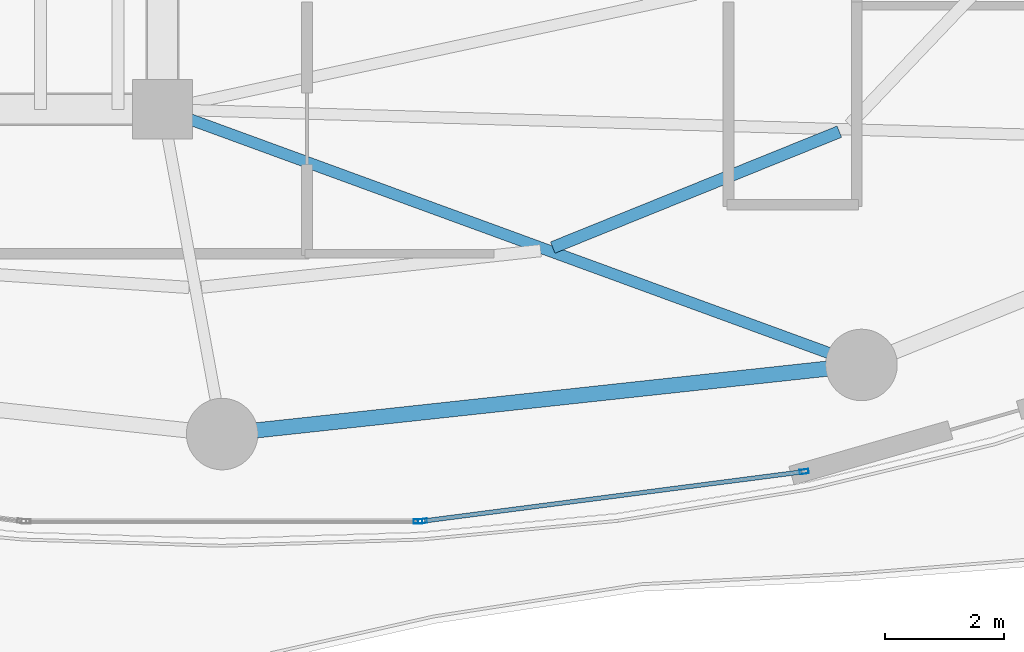
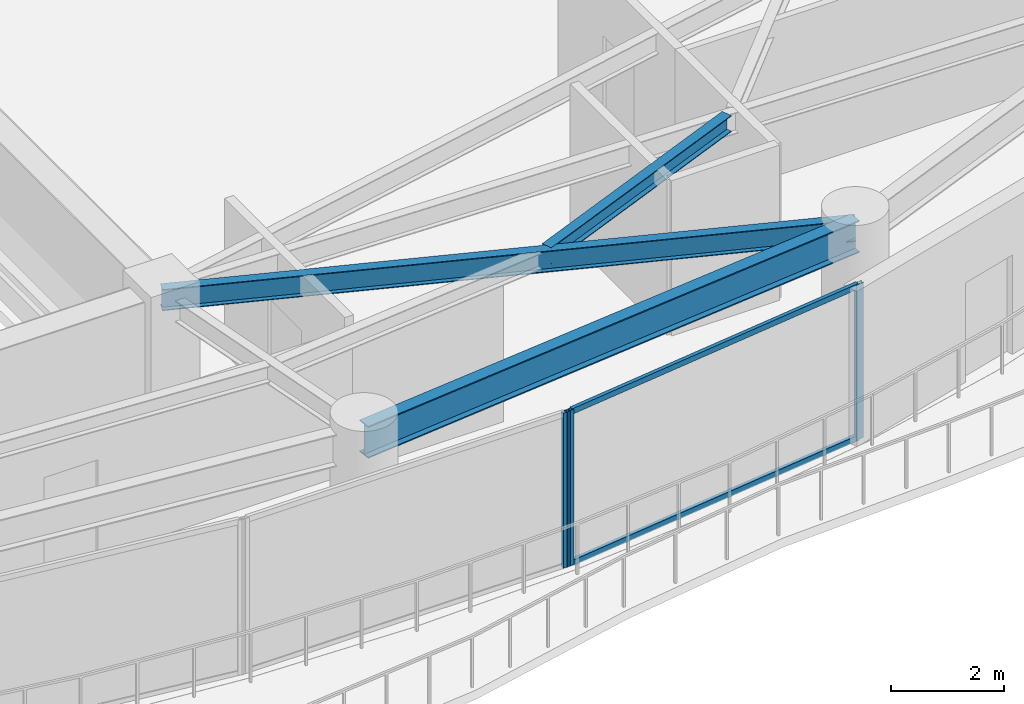
# One storey, part 9 of 28: 5 members, 3 beams, 2 elements without a shape of their own.
"""IFC4 building model written with IfcOpenShell, lengths in metres."""

import ifcopenshell
import ifcopenshell.guid

model = None  # the IFC model being written
_history = None  # IfcOwnerHistory: only IFC2X3 demands one
_inside = {}  # id of a spatial element -> (the spatial element, [elements in it])
_under = {}  # id of a project, library or spatial element -> (it, [spatial elements below it])
_declared = {}  # id of a project -> (the project, [libraries it declares])
_typed = {}  # id of a type object -> (the type object, [elements of that type])
_made_of = {}  # id of a material, layer set ... -> (it, [elements and type objects made of it])


def new_model(schema):
    """Start an empty IFC model of exactly this schema.

    Asked for "IFC4X3", IfcOpenShell would pick the latest addendum, in which some entities
    have other attributes; the version numbers below select the first issue.
    IFC2X3 requires an IfcOwnerHistory on every rooted entity: one is made here for all.
    """
    global model, _history
    if schema == "IFC4X3":
        model = ifcopenshell.file(schema_version=(4, 3, 0, 0))
    else:
        model = ifcopenshell.file(schema=schema)
    _inside.clear()
    _under.clear()
    _declared.clear()
    _typed.clear()
    _made_of.clear()
    _history = None
    if model.schema == "IFC2X3":
        org = make("IfcOrganization", Name="unknown")
        user = make(
            "IfcPersonAndOrganization",
            ThePerson=make("IfcPerson", FamilyName="unknown"),
            TheOrganization=org,
        )
        app = make(
            "IfcApplication",
            ApplicationDeveloper=org,
            Version="unknown",
            ApplicationFullName="unknown",
            ApplicationIdentifier="unknown",
        )
        _history = make(
            "IfcOwnerHistory",
            OwningUser=user,
            OwningApplication=app,
            ChangeAction="ADDED",
            CreationDate=0,
        )
    return model


def make(cls, **values):
    """One entity of the class cls with the attributes given. An attribute that is None is left unset."""
    return model.create_entity(
        cls, **{name: value for name, value in values.items() if value is not None}
    )


def rooted(cls, **values):
    """An entity with a GlobalId (a new one), such as an element, a storey or a relation."""
    return make(cls, GlobalId=ifcopenshell.guid.new(), OwnerHistory=_history, **values)


def si_unit(unit_type, name, prefix=None):
    """IfcSIUnit, for example si_unit("LENGTHUNIT", "METRE", prefix="MILLI")."""
    return make("IfcSIUnit", UnitType=unit_type, Prefix=prefix, Name=name)


def assignment(units):
    """IfcUnitAssignment: the units of a project."""
    return None if units is None else make("IfcUnitAssignment", Units=units)


def point(xyz):
    """IfcCartesianPoint."""
    return None if xyz is None else make("IfcCartesianPoint", Coordinates=xyz)


def direction(xyz):
    """IfcDirection."""
    return None if xyz is None else make("IfcDirection", DirectionRatios=xyz)


def frame(location, z_axis=None, x_axis=None):
    """IfcAxis2Placement3D, a coordinate frame: its origin and axes. An axis left out is left unset."""
    return make(
        "IfcAxis2Placement3D",
        Location=point(location),
        Axis=direction(z_axis),
        RefDirection=direction(x_axis),
    )


def frame_2d(location, x_axis=None):
    """IfcAxis2Placement2D, a coordinate frame in the plane: its origin and x axis."""
    return make(
        "IfcAxis2Placement2D", Location=point(location), RefDirection=direction(x_axis)
    )


def origin():
    """The frame at (0, 0, 0) with its axes left unset."""
    return frame((0.0, 0.0, 0.0))


def origin_2d():
    """The frame at (0, 0) in the plane with its x axis left unset."""
    return frame_2d((0.0, 0.0))


def place(relative_to, where):
    """IfcLocalPlacement: puts the frame where relative to a parent placement (None: the world)."""
    return make(
        "IfcLocalPlacement", PlacementRelTo=relative_to, RelativePlacement=where
    )


def context(
    kind, dimensions, precision=None, world=None, true_north=None, identifier=None
):
    """IfcGeometricRepresentationContext, for example the 3D "Model" context."""
    return make(
        "IfcGeometricRepresentationContext",
        ContextIdentifier=identifier,
        ContextType=kind,
        CoordinateSpaceDimension=dimensions,
        Precision=precision,
        WorldCoordinateSystem=world,
        TrueNorth=true_north,
    )


def subcontext(parent, identifier, kind, view, scale=None):
    """IfcGeometricRepresentationSubContext, for example "Body" below "Model"."""
    return make(
        "IfcGeometricRepresentationSubContext",
        ContextIdentifier=identifier,
        ContextType=kind,
        ParentContext=parent,
        TargetScale=scale,
        TargetView=view,
    )


def project(units=None, contexts=None):
    """IfcProject with its units and contexts."""
    return rooted(
        "IfcProject",
        Name="project",
        RepresentationContexts=contexts,
        UnitsInContext=assignment(units),
    )


def spatial(cls, under=None, at=None, **own):
    """A site, building, storey or space (cls), placed at a placement, below another one or the project."""
    s = rooted(cls, ObjectPlacement=at, **own)
    if under is not None:
        _under.setdefault(under.id(), (under, []))[1].append(s)
    return s


def profile(cls, at=None, kind="AREA", **sizes):
    """A parametric profile (cls). Its sizes go by their IFC names, for example OverallWidth=200.0."""
    return make(cls, ProfileType=kind, Position=at, **sizes)


def hollow_rectangle(**sizes):
    """IfcRectangleHollowProfileDef."""
    return profile("IfcRectangleHollowProfileDef", **sizes)


def i_section(**sizes):
    """IfcIShapeProfileDef."""
    return profile("IfcIShapeProfileDef", **sizes)


def extrude(swept, where, along, depth):
    """IfcExtrudedAreaSolid: the profile swept, set in the frame where, extruded along a direction by depth."""
    return make(
        "IfcExtrudedAreaSolid",
        SweptArea=swept,
        Position=where,
        ExtrudedDirection=direction(along),
        Depth=depth,
    )


def shape(context_of_items, identifier, shape_type, items):
    """IfcShapeRepresentation: the items that make up one representation, for example the "Body"."""
    return make(
        "IfcShapeRepresentation",
        ContextOfItems=context_of_items,
        RepresentationIdentifier=identifier,
        RepresentationType=shape_type,
        Items=items,
    )


def material(Name=None, Category=None):
    """IfcMaterial."""
    return make("IfcMaterial", Name=Name, Category=Category)


def layer(
    of_material, thickness, ventilated=None, Name=None, Category=None, Priority=None
):
    """IfcMaterialLayer: one layer of a wall or slab, of a material (None: an air gap)."""
    return make(
        "IfcMaterialLayer",
        Material=of_material,
        LayerThickness=thickness,
        IsVentilated=ventilated,
        Name=Name,
        Category=Category,
        Priority=Priority,
    )


def layer_set(layers, Name=None):
    """IfcMaterialLayerSet."""
    return make("IfcMaterialLayerSet", MaterialLayers=layers, LayerSetName=Name)


def material_profile(
    of_material, cross_section, Name=None, Category=None, Priority=None
):
    """IfcMaterialProfile: a cross section and its material."""
    return make(
        "IfcMaterialProfile",
        Name=Name,
        Material=of_material,
        Profile=cross_section,
        Priority=Priority,
        Category=Category,
    )


def profile_set(profiles, Name=None, composite=None):
    """IfcMaterialProfileSet."""
    return make(
        "IfcMaterialProfileSet",
        Name=Name,
        MaterialProfiles=profiles,
        CompositeProfile=composite,
    )


def made_of(thing, what):
    """Note that an element or type object is made of a material, layer set ...; save() writes the relation."""
    if what is not None:
        _made_of.setdefault(what.id(), (what, []))[1].append(thing)
    return thing


def type_object(cls, material=None, **own):
    """A type object (cls), such as IfcWallType, which elements share."""
    return made_of(rooted(cls, **own), material)


def element(
    cls,
    number,
    at=None,
    inside=None,
    cuts=None,
    type_object=None,
    material=None,
    context=None,
    identifier="Body",
    shape_type=None,
    held_by="IfcProductDefinitionShape",
    body=None,
    shapes=None,
    **own,
):
    """One element of the class cls, such as IfcWall. Its Tag is "e" and its number.

    at: its placement. inside: the storey or other place that contains it. cuts: it is an
    opening in that element (IfcRelVoidsElement). A single representation is given by context,
    identifier, shape_type and body (its items); several are given by shapes. held_by: the class
    of the entity that holds the representations. save() writes the other relations.
    """
    e = rooted(cls, Tag="e%d" % number, ObjectPlacement=at, **own)
    if body is not None:
        shapes = [shape(context, identifier, shape_type, body)]
    if shapes is not None:
        e.Representation = make(held_by, Representations=shapes)
    if inside is not None:
        _inside.setdefault(inside.id(), (inside, []))[1].append(e)
    if cuts is not None:
        rooted(
            "IfcRelVoidsElement", RelatingBuildingElement=cuts, RelatedOpeningElement=e
        )
    if type_object is not None:
        _typed.setdefault(type_object.id(), (type_object, []))[1].append(e)
    return made_of(e, material)


def aggregate(whole, parts):
    """IfcRelAggregates: a whole, such as a stair, and the parts it consists of."""
    return rooted("IfcRelAggregates", RelatingObject=whole, RelatedObjects=parts)


def save(model, path):
    """Write the relations noted so far, then the file.

    IfcRelAggregates (storeys below a building ...), IfcRelContainedInSpatialStructure (elements
    in a storey), IfcRelDefinesByType, IfcRelAssociatesMaterial and IfcRelDeclares: one each for
    every whole, place, type object, material and project.
    """
    for whole, parts in _under.values():
        aggregate(whole, parts)
    for where, things in _inside.values():
        rooted(
            "IfcRelContainedInSpatialStructure",
            RelatedElements=things,
            RelatingStructure=where,
        )
    for kind, things in _typed.values():
        rooted("IfcRelDefinesByType", RelatedObjects=things, RelatingType=kind)
    for what, things in _made_of.values():
        rooted("IfcRelAssociatesMaterial", RelatedObjects=things, RelatingMaterial=what)
    for by, libraries in _declared.values():
        rooted("IfcRelDeclares", RelatingContext=by, RelatedDefinitions=libraries)
    model.write(path)


model = new_model("IFC4")

# Units and contexts
model_context = context("Model", 3, precision=1e-05, world=origin(), true_north=direction((0.0, 1.0)))
body_context = subcontext(model_context, "Body", "Model", "MODEL_VIEW")
ifc_project = project(units=[si_unit("LENGTHUNIT", "METRE"), si_unit("AREAUNIT", "SQUARE_METRE"), si_unit("VOLUMEUNIT", "CUBIC_METRE"), si_unit("PLANEANGLEUNIT", "RADIAN"), si_unit("MASSUNIT", "GRAM", prefix="KILO")], contexts=[model_context])

# Site, building, storey
site_placement = place(None, origin())
site = spatial("IfcSite", under=ifc_project, at=site_placement, CompositionType="ELEMENT")
building_placement = place(site_placement, origin())
building = spatial("IfcBuilding", under=site, at=building_placement, Name="Kazevale Care Tower and Concert Hall", CompositionType="ELEMENT")
storey_placement = place(building_placement, frame((0.0, 0.0, 135.0)))
storey = spatial("IfcBuildingStorey", under=building, at=storey_placement, Name="L35", CompositionType="ELEMENT", Elevation=135.0)

# Curtain wall, members
ifc_material_1 = material(Name="Aluminium 6063-T6 and Low-E Glass", Category="aluminium")
ifc_layer = layer(ifc_material_1, 0.179931640625)
ifc_layer_set = layer_set([ifc_layer], Name="Aluminium 6063-T6 and Low-E Glass")
curtain_wall_type = type_object("IfcCurtainWallType", Name="Sheltered Concave Balcony Curtain Wall CW-5", PredefinedType="NOTDEFINED", material=ifc_layer_set)
curtain_wall_1_placement = place(storey_placement, origin())
curtain_wall_1 = element("IfcCurtainWall", 1, at=curtain_wall_1_placement, inside=storey, type_object=curtain_wall_type, Name="cw:L35:f05", PredefinedType="NOTDEFINED")
ifc_material_2 = material(Name="Aluminium 6063-T6", Category="aluminium")
ifc_material_profile_1 = material_profile(ifc_material_2, hollow_rectangle(XDim=0.074951171875, YDim=0.14990234375, WallThickness=0.00390625, at=origin_2d()), Name="ALU75x150x4")
ifc_profile_set_1 = profile_set([ifc_material_profile_1], Name="Aluminium 6063-T6")
member_type_1 = type_object("IfcMemberType", Name="CW-5 Mullion ALU75x150x4", PredefinedType="MULLION", material=ifc_profile_set_1)
member_1_placement = place(storey_placement, frame((54.768798828125, 17.520263671875, 0.0), z_axis=(0.0, 0.0, 1.0), x_axis=(0.12868500567, -0.991685519364, 0.0)))
member_1 = element("IfcMember", 2, at=member_1_placement, type_object=member_type_1, Name="CW-5 mullion 1", PredefinedType="MULLION", context=body_context, shape_type="SweptSolid", body=[
    extrude(hollow_rectangle(XDim=0.074951171875, YDim=0.14990234375, WallThickness=0.00390625, at=origin_2d()), origin(), (0.0, 0.0, 1.0), 3.360107421875),
])
member_2_placement = place(storey_placement, frame((48.3623046875, 16.688720703125, 0.0), z_axis=(0.0, 0.0, 1.0), x_axis=(0.12868500567, -0.991685519364, 0.0)))
member_2 = element("IfcMember", 3, at=member_2_placement, type_object=member_type_1, Name="CW-5 mullion 2", PredefinedType="MULLION", context=body_context, shape_type="SweptSolid", body=[
    extrude(hollow_rectangle(XDim=0.074951171875, YDim=0.14990234375, WallThickness=0.00390625, at=origin_2d()), origin(), (0.0, 0.0, 1.0), 3.360107421875),
])

# Curtain wall, member
curtain_wall_2_placement = place(storey_placement, origin())
curtain_wall_2 = element("IfcCurtainWall", 4, at=curtain_wall_2_placement, inside=storey, type_object=curtain_wall_type, Name="cw:L35:f06", PredefinedType="NOTDEFINED")
member_3_placement = place(storey_placement, frame((48.28759765625, 16.68408203125, 0.0), z_axis=(0.0, 0.0, 1.0), x_axis=(0.0, -1.0, 0.0)))
member_3 = element("IfcMember", 5, at=member_3_placement, type_object=member_type_1, Name="CW-5 mullion 1", PredefinedType="MULLION", context=body_context, shape_type="SweptSolid", body=[
    extrude(hollow_rectangle(XDim=0.074951171875, YDim=0.14990234375, WallThickness=0.00390625, at=origin_2d()), origin(), (0.0, 0.0, 1.0), 3.360107421875),
])
aggregate(curtain_wall_2, [member_3])

# Member
ifc_material_profile_2 = material_profile(ifc_material_2, hollow_rectangle(XDim=0.074951171875, YDim=0.1201171875, WallThickness=0.00390625, at=origin_2d()), Name="ALU75x120x4")
ifc_profile_set_2 = profile_set([ifc_material_profile_2], Name="Aluminium 6063-T6")
member_type_2 = type_object("IfcMemberType", Name="CW-5 Transom ALU75x120x4", PredefinedType="USERDEFINED", material=ifc_profile_set_2)
member_4_placement = place(storey_placement, frame((54.731689453125, 17.515380859375, 0.03759765625), z_axis=(-0.991683991743, -0.12869677743, 0.0), x_axis=(0.12869677743, -0.991683991743, 0.0)))
member_4 = element("IfcMember", 6, at=member_4_placement, type_object=member_type_2, Name="CW-5 transom 1.1", ObjectType="TRANSOM", PredefinedType="USERDEFINED", context=body_context, shape_type="SweptSolid", body=[
    extrude(hollow_rectangle(XDim=0.074951171875, YDim=0.1201171875, WallThickness=0.00390625, at=origin_2d()), origin(), (0.0, 0.0, 1.0), 6.385498046875),
])

member_5_placement = place(storey_placement, frame((54.731689453125, 17.515380859375, 3.322509765625), z_axis=(-0.991683991743, -0.12869677743, 0.0), x_axis=(0.12869677743, -0.991683991743, 0.0)))
member_5 = element("IfcMember", 7, at=member_5_placement, type_object=member_type_2, Name="CW-5 transom 1.2", ObjectType="TRANSOM", PredefinedType="USERDEFINED", context=body_context, shape_type="SweptSolid", body=[
    extrude(hollow_rectangle(XDim=0.074951171875, YDim=0.1201171875, WallThickness=0.00390625, at=origin_2d()), origin(), (0.0, 0.0, 1.0), 6.385498046875),
])

aggregate(curtain_wall_1, [member_1, member_2, member_4, member_5])

# Beams
ifc_material_3 = material(Name="Steel ASTM A572 Gr 50", Category="steel")
ifc_material_profile_3 = material_profile(ifc_material_3, i_section(OverallWidth=0.19091796875, OverallDepth=0.4599609375, WebThickness=0.010009765625, FlangeThickness=0.01611328125, at=origin_2d()), Name="W460x82")
ifc_profile_set_3 = profile_set([ifc_material_profile_3], Name="Steel ASTM A572 Gr 50")
beam_type_1 = type_object("IfcBeamType", Name="Radial Floor Beam W460x82", PredefinedType="BEAM", material=ifc_profile_set_3)
beam_1_placement = place(storey_placement, frame((44.0, 23.60009765625, 3.1298828125), z_axis=(0.939159459123, -0.343481455599, 0.0), x_axis=(0.343481455599, 0.939159459123, 0.0)))
element("IfcBeam", 8, at=beam_1_placement, inside=storey, type_object=beam_type_1, Name="beam:L35:rad:14", PredefinedType="BEAM", context=body_context, shape_type="SweptSolid", body=[
    extrude(i_section(OverallWidth=0.19091796875, OverallDepth=0.4599609375, WebThickness=0.010009765625, FlangeThickness=0.01611328125, at=origin_2d()), origin(), (0.0, 0.0, 1.0), 12.489990234375),
])
ifc_material_profile_4 = material_profile(ifc_material_3, i_section(OverallWidth=0.205078125, OverallDepth=0.35400390625, WebThickness=0.009521484375, FlangeThickness=0.016845703125, at=origin_2d()), Name="W360x79")
ifc_profile_set_4 = profile_set([ifc_material_profile_4], Name="Steel ASTM A572 Gr 50")
beam_type_2 = type_object("IfcBeamType", Name="Secondary Floor Joist W360x79", PredefinedType="JOIST", material=ifc_profile_set_4)
beam_2_placement = place(storey_placement, frame((50.549072265625, 21.280029296875, 3.18310546875), z_axis=(0.927064833216, 0.374901046964, 0.0), x_axis=(-0.374901046964, 0.927064833216, 0.0)))
element("IfcBeam", 9, at=beam_2_placement, inside=storey, type_object=beam_type_2, Name="beam:L35:joist:14", PredefinedType="JOIST", context=body_context, shape_type="SweptSolid", body=[
    extrude(i_section(OverallWidth=0.205078125, OverallDepth=0.35400390625, WebThickness=0.009521484375, FlangeThickness=0.016845703125, at=origin_2d()), origin(), (0.0, 0.0, 1.0), 5.188232421875),
])
ifc_material_profile_5 = material_profile(ifc_material_3, i_section(OverallWidth=0.256103515625, OverallDepth=0.693115234375, WebThickness=0.014404296875, FlangeThickness=0.023681640625, at=origin_2d()), Name="W690x170")
ifc_profile_set_5 = profile_set([ifc_material_profile_5], Name="Steel ASTM A572 Gr 50")
beam_type_3 = type_object("IfcBeamType", Name="Waist Ring Beam W690x170", PredefinedType="BEAM", material=ifc_profile_set_5)
beam_3_placement = place(storey_placement, frame((45.0, 18.14990234375, 3.013427734375), z_axis=(0.994205479487, 0.107496346724, 0.0), x_axis=(-0.107496346724, 0.994205479487, 0.0)))
element("IfcBeam", 10, at=beam_3_placement, inside=storey, type_object=beam_type_3, Name="beam:L35:ring:13", PredefinedType="BEAM", context=body_context, shape_type="SweptSolid", body=[
    extrude(i_section(OverallWidth=0.256103515625, OverallDepth=0.693115234375, WebThickness=0.014404296875, FlangeThickness=0.023681640625, at=origin_2d()), origin(), (0.0, 0.0, 1.0), 10.79248046875),
])

save(model, "model.ifc")
